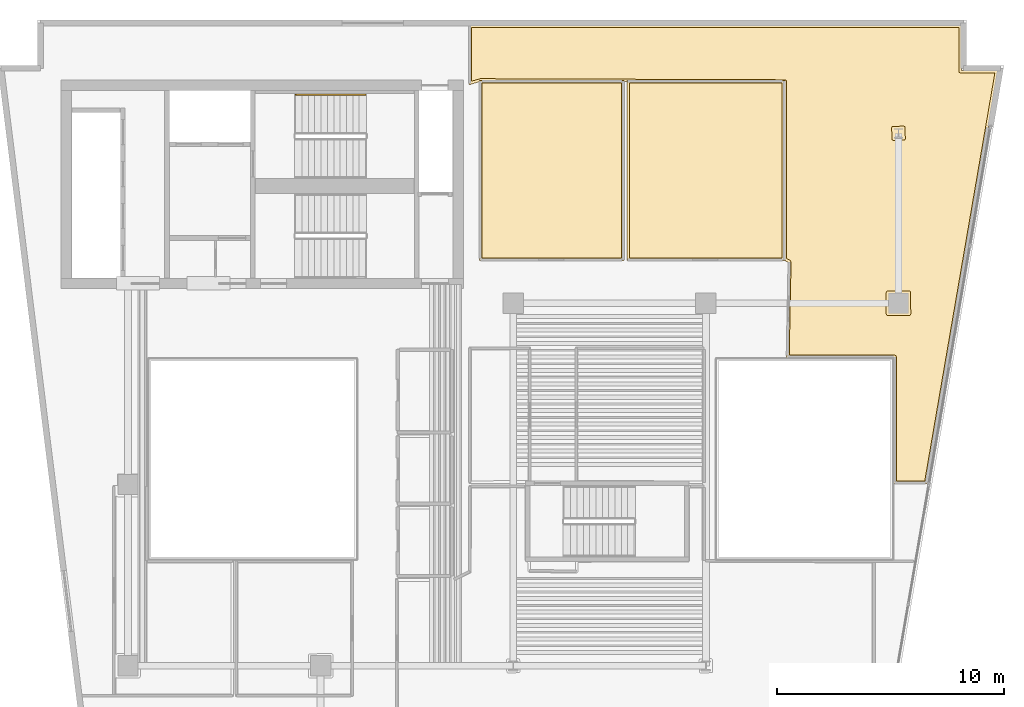
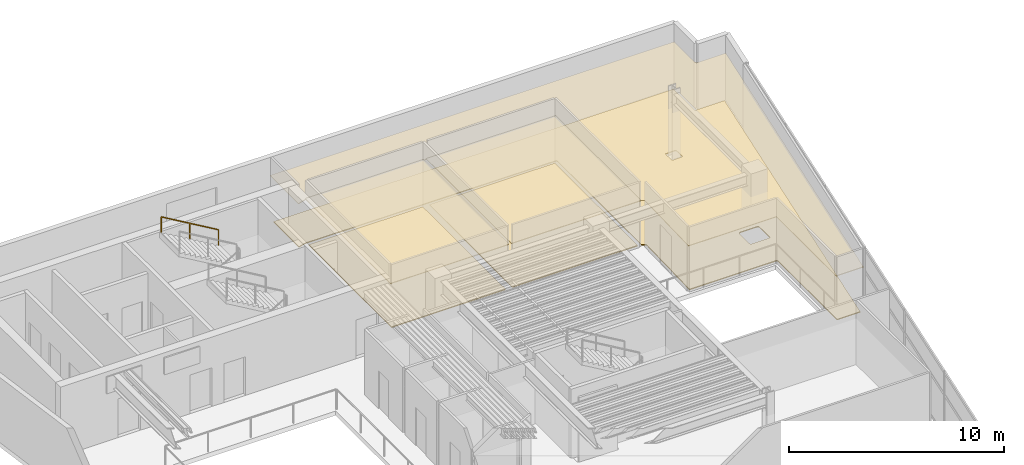
# One storey, part 9 of 9: 6 coverings, 1 railing.
"""IFC4 building model written with IfcOpenShell, lengths in metres."""

from ifc_helpers import new_model, si_unit, direction, frame, origin, origin_2d, place, context, subcontext, project, spatial, polyline, rectangle, outline, extrude, material, layer, layer_set, type_object, element, save


model = new_model("IFC4")

# Units and contexts
model_context = context("Model", 3, precision=1e-05, world=origin(), true_north=direction((0.0, 1.0)))
body_context = subcontext(model_context, "Body", "Model", "MODEL_VIEW")
ifc_project = project(units=[si_unit("LENGTHUNIT", "METRE"), si_unit("AREAUNIT", "SQUARE_METRE"), si_unit("VOLUMEUNIT", "CUBIC_METRE"), si_unit("PLANEANGLEUNIT", "RADIAN"), si_unit("MASSUNIT", "GRAM", prefix="KILO")], contexts=[model_context])

# Site, building, storey
site_placement = place(None, origin())
site = spatial("IfcSite", under=ifc_project, at=site_placement, CompositionType="ELEMENT")
building_placement = place(site_placement, origin())
building = spatial("IfcBuilding", under=site, at=building_placement, Name="Caeloran Harvest Quay", CompositionType="ELEMENT")
storey_placement = place(building_placement, frame((0.0, 0.0, 203.5)))
storey = spatial("IfcBuildingStorey", under=building, at=storey_placement, Name="L48", CompositionType="ELEMENT", Elevation=203.5)

# Coverings
ifc_material_1 = material(Name="Perforated Mineral-Fibre Acoustic Ceiling Tile", Category="ceiling")
ifc_layer_1 = layer(ifc_material_1, 0.0400390625, Name="Perforated Mineral-Fibre Acoustic Ceiling Tile")
ifc_layer_set_1 = layer_set([ifc_layer_1], Name="Perforated Mineral-Fibre Acoustic Ceiling Tile")
covering_type_1 = type_object("IfcCoveringType", Name="COV-CEILING-ACOUSTIC", PredefinedType="CEILING", material=ifc_layer_set_1)
covering_1_placement = place(storey_placement, frame((0.0, 0.0, 2.60009765625)))
element("IfcCovering", 1, at=covering_1_placement, inside=storey, type_object=covering_type_1, Name="L48 Bioinformatics and Crop Phenotyping Laboratory Acoustic Ceiling", PredefinedType="CEILING", context=body_context, shape_type="SweptSolid", body=[
    extrude(outline(polyline([(30.389892578125, 40.840087890625), (30.389892578125, 32.8798828125), (24.010009765625, 32.8798828125), (24.010009765625, 40.840087890625), (30.389892578125, 40.840087890625)])), origin(), (0.0, 0.0, 1.0), 0.039794921875),
])
covering_2_placement = place(storey_placement, frame((0.0, 0.0, 2.60009765625)))
element("IfcCovering", 2, at=covering_2_placement, inside=storey, type_object=covering_type_1, Name="L48 Agri-Genomics Executive Strategy Boardroom Acoustic Ceiling", PredefinedType="CEILING", context=body_context, shape_type="SweptSolid", body=[
    extrude(outline(polyline([(37.489990234375, 40.840087890625), (37.489990234375, 32.8798828125), (30.510009765625, 32.8798828125), (30.510009765625, 40.840087890625), (37.489990234375, 40.840087890625)])), origin(), (0.0, 0.0, 1.0), 0.039794921875),
])
covering_3_placement = place(storey_placement, frame((0.0, 0.0, 2.60009765625)))
element("IfcCovering", 3, at=covering_3_placement, inside=storey, type_object=covering_type_1, Name="IT Comms Laboratory Acoustic Ceiling", PredefinedType="CEILING", context=body_context, shape_type="SweptSolid", body=[
    extrude(outline(polyline([(45.280029296875, 43.280029296875), (45.280029296875, 41.280029296875), (46.895263671875, 41.280029296875), (43.760009765625, 23.0400390625), (42.2900390625, 23.0400390625), (42.2900390625, 28.590087890625), (37.556884765625, 28.590087890625), (37.639404296875, 32.797119140625), (37.43994140625, 32.91015625), (37.43994140625, 40.760009765625), (24.0556640625, 40.7900390625), (23.5400390625, 40.63916015625), (23.5400390625, 43.280029296875), (45.280029296875, 43.280029296875)])), origin(), (0.0, 0.0, 1.0), 0.039794921875),
])
ifc_material_2 = material(Name="Calcium-Sulphate Raised Access Floor and Terrazzo Finish", Category="flooring")
ifc_layer_2 = layer(ifc_material_2, 0.050048828125, Name="Calcium-Sulphate Raised Access Floor and Terrazzo Finish")
ifc_layer_set_2 = layer_set([ifc_layer_2], Name="Calcium-Sulphate Raised Access Floor and Terrazzo Finish")
covering_type_2 = type_object("IfcCoveringType", Name="COV-FLOOR-RAISED", PredefinedType="FLOORING", material=ifc_layer_set_2)
covering_4_placement = place(storey_placement, origin())
element("IfcCovering", 4, at=covering_4_placement, inside=storey, type_object=covering_type_2, Name="L48 Bioinformatics and Crop Phenotyping Laboratory Raised Finish Flooring", PredefinedType="FLOORING", context=body_context, shape_type="SweptSolid", body=[
    extrude(outline(polyline([(30.27001953125, 40.719970703125), (30.27001953125, 33.0), (24.1298828125, 33.0), (24.1298828125, 40.719970703125), (30.27001953125, 40.719970703125)])), origin(), (0.0, 0.0, 1.0), 0.050048828125),
])
covering_5_placement = place(storey_placement, origin())
element("IfcCovering", 5, at=covering_5_placement, inside=storey, type_object=covering_type_2, Name="L48 Agri-Genomics Executive Strategy Boardroom Raised Finish Flooring", PredefinedType="FLOORING", context=body_context, shape_type="SweptSolid", body=[
    extrude(outline(polyline([(37.3701171875, 40.719970703125), (37.3701171875, 33.0), (30.6298828125, 33.0), (30.6298828125, 40.719970703125), (37.3701171875, 40.719970703125)])), origin(), (0.0, 0.0, 1.0), 0.050048828125),
])
covering_6_placement = place(storey_placement, origin())
element("IfcCovering", 6, at=covering_6_placement, inside=storey, type_object=covering_type_2, Name="IT Comms Laboratory Raised Finish Flooring", PredefinedType="FLOORING", context=body_context, shape_type="SweptSolid", body=[
    extrude(outline(polyline([(23.659912109375, 40.79931640625), (23.659912109375, 43.159912109375), (45.159912109375, 43.159912109375), (45.17822265625, 41.189208984375), (45.239990234375, 41.159912109375), (46.752685546875, 41.159912109375), (43.658935546875, 23.159912109375), (42.409912109375, 23.159912109375), (42.409912109375, 28.6298828125), (42.38671875, 28.6865234375), (42.330078125, 28.7099609375), (37.679443359375, 28.7099609375), (37.760009765625, 32.818359375), (37.732177734375, 32.880615234375), (37.56005859375, 32.97998046875), (37.56005859375, 40.800048828125), (37.53076171875, 40.86181640625), (24.05029296875, 40.909912109375), (23.659912109375, 40.79931640625)]), holes=[polyline([(43.044921875, 30.534912109375), (43.02685546875, 31.515869140625), (42.972900390625, 31.544677734375), (42.034912109375, 31.544921875), (41.978515625, 31.521484375), (41.955078125, 31.465087890625), (41.955078125, 30.534912109375), (41.978515625, 30.478515625), (42.034912109375, 30.455078125), (42.965087890625, 30.455078125), (43.021484375, 30.478515625), (43.044921875, 30.534912109375)]), polyline([(42.802490234375, 38.254150390625), (42.784912109375, 38.788818359375), (42.730712890625, 38.817626953125), (42.226318359375, 38.7998046875), (42.197021484375, 38.738037109375), (42.215087890625, 38.211181640625), (42.277099609375, 38.181884765625), (42.773681640625, 38.2001953125), (42.802490234375, 38.254150390625)])]), origin(), (0.0, 0.0, 1.0), 0.050048828125),
])

# Railing
ifc_material_3 = material(Name="Brushed Stainless Steel Grade 304", Category="steel")
ifc_layer_3 = layer(ifc_material_3, 0.050048828125, Name="Brushed Stainless Steel Grade 304")
ifc_layer_set_3 = layer_set([ifc_layer_3], Name="Brushed Stainless Steel Grade 304")
railing_type = type_object("IfcRailingType", Name="STAIR-HANDRAIL-900", PredefinedType="HANDRAIL", material=ifc_layer_set_3)
railing_placement = place(storey_placement, frame((18.97998046875, 40.199951171875, 2.1396484375)))
element("IfcRailing", 7, at=railing_placement, inside=storey, type_object=railing_type, Name="L48 ST-C1 stair handrail 2", PredefinedType="HANDRAIL", context=body_context, shape_type="SweptSolid", body=[
    extrude(rectangle(XDim=0.048095703125, YDim=0.048095703125, at=origin_2d()), frame((0.0, 0.0, 0.8759765625), z_axis=(-0.862118610829, 0.0, 0.506706523406), x_axis=(0.0, -1.0, 0.0)), (0.0, 0.0, 1.0), 3.57275390625),
    extrude(rectangle(XDim=0.0419921875, YDim=0.0419921875, at=origin_2d()), origin(), (0.0, 0.0, 1.0), 0.851806640625),
    extrude(rectangle(XDim=0.0419921875, YDim=0.0419921875, at=origin_2d()), frame((-1.5400390625, 0.0, 0.9052734375)), (0.0, 0.0, 1.0), 0.851806640625),
    extrude(rectangle(XDim=0.0419921875, YDim=0.0419921875, at=origin_2d()), frame((-3.080078125, 0.0, 1.810302734375)), (0.0, 0.0, 1.0), 0.851806640625),
])

save(model, "model.ifc")
